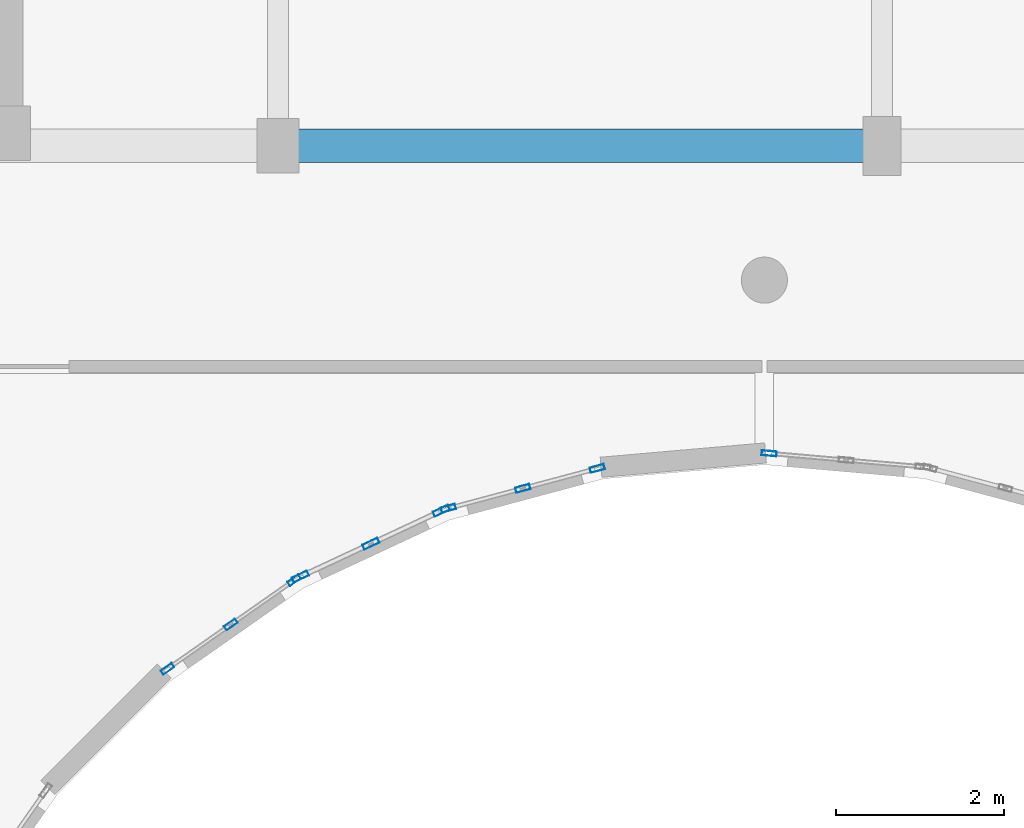
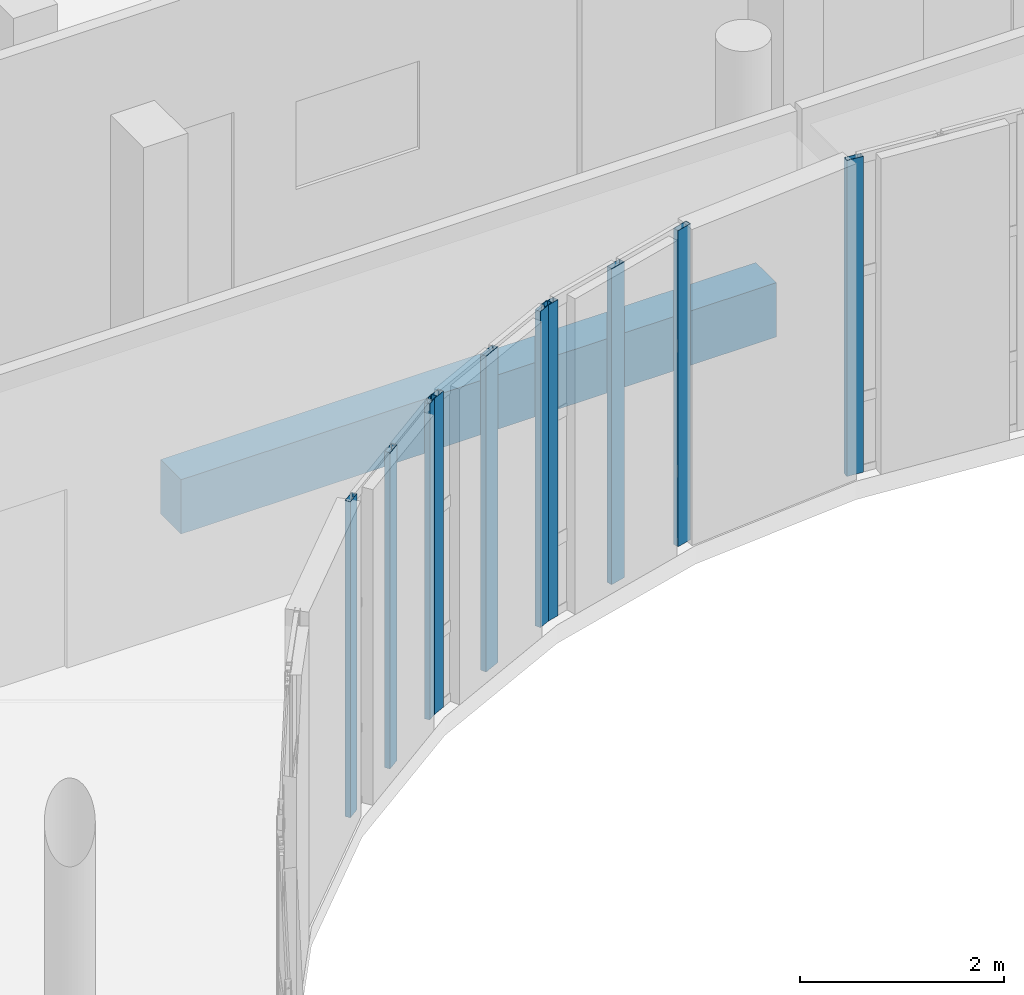
# One storey, part 42 of 105: 10 members, 1 beam, 4 elements without a shape of their own.
"""IFC4 building model written with IfcOpenShell, lengths in metres."""

from ifc_helpers import new_model, si_unit, direction, frame, origin, origin_2d, place, context, subcontext, project, spatial, rectangle, hollow_rectangle, extrude, material, layer, layer_set, material_profile, profile_set, type_object, element, aggregate, save


model = new_model("IFC4")

# Units and contexts
model_context = context("Model", 3, precision=1e-05, world=origin(), true_north=direction((0.0, 1.0)))
body_context = subcontext(model_context, "Body", "Model", "MODEL_VIEW")
ifc_project = project(units=[si_unit("LENGTHUNIT", "METRE"), si_unit("AREAUNIT", "SQUARE_METRE"), si_unit("VOLUMEUNIT", "CUBIC_METRE"), si_unit("PLANEANGLEUNIT", "RADIAN"), si_unit("MASSUNIT", "GRAM", prefix="KILO")], contexts=[model_context])

# Site, building, storey
site_placement = place(None, origin())
site = spatial("IfcSite", under=ifc_project, at=site_placement, CompositionType="ELEMENT")
building_placement = place(site_placement, origin())
building = spatial("IfcBuilding", under=site, at=building_placement, Name="Kelanivale Promenade Academy", CompositionType="ELEMENT")
storey_placement = place(building_placement, frame((0.0, 0.0, 4.199951171875)))
storey = spatial("IfcBuildingStorey", under=building, at=storey_placement, Name="L01", CompositionType="ELEMENT", Elevation=4.199951171875)

# Beam
ifc_material_1 = material(Name="Concrete C35/45", Category="concrete")
ifc_material_profile_1 = material_profile(ifc_material_1, rectangle(XDim=0.39990234375, YDim=0.64990234375, at=origin_2d()), Name="RC-BM 400x650")
ifc_profile_set_1 = profile_set([ifc_material_profile_1], Name="Concrete C35/45")
beam_type = type_object("IfcBeamType", Name="BM-01 RC-BM 400x650", PredefinedType="BEAM", material=ifc_profile_set_1)
beam_placement = place(storey_placement, frame((57.844970703125, 71.60009765625, -0.544921875), z_axis=(1.0, 0.0, 0.0), x_axis=(0.0, 1.0, 0.0)))
element("IfcBeam", 1, at=beam_placement, inside=storey, type_object=beam_type, Name="L01 girder BM-01", PredefinedType="BEAM", context=body_context, shape_type="SweptSolid", body=[
    extrude(rectangle(XDim=0.39990234375, YDim=0.64990234375, at=origin_2d()), origin(), (0.0, 0.0, 1.0), 6.735107421875),
])

# Curtain wall, members
ifc_material_2 = material(Name="Bronze anodised aluminium and solar-control low-E glass", Category="aluminium")
ifc_layer_1 = layer(ifc_material_2, 0.169921875)
ifc_layer_set_1 = layer_set([ifc_layer_1], Name="Bronze anodised aluminium and solar-control low-E glass")
curtain_wall_type_1 = type_object("IfcCurtainWallType", Name="CW-13 Curtain Wall 1350mm Module", PredefinedType="USERDEFINED", material=ifc_layer_set_1)
curtain_wall_1_placement = place(storey_placement, origin())
curtain_wall_1 = element("IfcCurtainWall", 2, at=curtain_wall_1_placement, inside=storey, type_object=curtain_wall_type_1, Name="L01 courtyard curtain wall CW-13", ObjectType="COURTYARD SCREEN GLAZING", PredefinedType="USERDEFINED")
ifc_material_3 = material(Name="Bronze anodised aluminium EN AW-6063 T6", Category="aluminium")
ifc_material_profile_2 = material_profile(ifc_material_3, hollow_rectangle(XDim=0.06005859375, YDim=0.159912109375, WallThickness=0.00390625, at=origin_2d()), Name="ALU 60x160x4.0")
ifc_profile_set_2 = profile_set([ifc_material_profile_2], Name="Bronze anodised aluminium EN AW-6063 T6")
member_type_1 = type_object("IfcMemberType", Name="CWM-01 ALU 60x160x4.0", PredefinedType="MULLION", material=ifc_profile_set_2)
member_1_placement = place(storey_placement, frame((57.79541015625, 66.423828125, 0.0), z_axis=(0.0, 0.0, 1.0), x_axis=(0.573356527561, -0.819305982099, 0.0)))
member_1 = element("IfcMember", 3, at=member_1_placement, type_object=member_type_1, Name="CW-13 mullion 1", PredefinedType="MULLION", context=body_context, shape_type="SweptSolid", body=[
    extrude(hollow_rectangle(XDim=0.06005859375, YDim=0.159912109375, WallThickness=0.00390625, at=origin_2d()), origin(), (0.0, 0.0, 1.0), 3.780029296875),
])
member_2_placement = place(storey_placement, frame((57.04052734375, 65.8955078125, 0.0), z_axis=(0.0, 0.0, 1.0), x_axis=(0.573356527561, -0.819305982099, 0.0)))
member_2 = element("IfcMember", 4, at=member_2_placement, type_object=member_type_1, Name="CW-13 mullion 2", PredefinedType="MULLION", context=body_context, shape_type="SweptSolid", body=[
    extrude(hollow_rectangle(XDim=0.06005859375, YDim=0.159912109375, WallThickness=0.00390625, at=origin_2d()), origin(), (0.0, 0.0, 1.0), 3.780029296875),
])
member_3_placement = place(storey_placement, frame((56.28564453125, 65.3671875, 0.0), z_axis=(0.0, 0.0, 1.0), x_axis=(0.573356527561, -0.819305982099, 0.0)))
member_3 = element("IfcMember", 5, at=member_3_placement, type_object=member_type_1, Name="CW-13 mullion 3", PredefinedType="MULLION", context=body_context, shape_type="SweptSolid", body=[
    extrude(hollow_rectangle(XDim=0.06005859375, YDim=0.159912109375, WallThickness=0.00390625, at=origin_2d()), origin(), (0.0, 0.0, 1.0), 3.780029296875),
])
aggregate(curtain_wall_1, [member_1, member_2, member_3])

# Curtain wall, member
ifc_layer_2 = layer(ifc_material_2, 0.169921875)
ifc_layer_set_2 = layer_set([ifc_layer_2], Name="Bronze anodised aluminium and solar-control low-E glass")
curtain_wall_type_2 = type_object("IfcCurtainWallType", Name="CW-10 Curtain Wall 1800mm Module", PredefinedType="USERDEFINED", material=ifc_layer_set_2)
curtain_wall_2_placement = place(storey_placement, origin())
curtain_wall_2 = element("IfcCurtainWall", 6, at=curtain_wall_2_placement, inside=storey, type_object=curtain_wall_type_2, Name="L01 courtyard curtain wall CW-10", ObjectType="UNITISED GLAZING", PredefinedType="USERDEFINED")
ifc_material_profile_3 = material_profile(ifc_material_3, hollow_rectangle(XDim=0.06005859375, YDim=0.179931640625, WallThickness=0.00390625, at=origin_2d()), Name="ALU 60x180x4.0")
ifc_profile_set_3 = profile_set([ifc_material_profile_3], Name="Bronze anodised aluminium EN AW-6063 T6")
member_type_2 = type_object("IfcMemberType", Name="CWM-02 ALU 60x180x4.0", PredefinedType="MULLION", material=ifc_profile_set_3)
member_4_placement = place(storey_placement, frame((63.456787109375, 67.935302734375, 0.0), z_axis=(0.0, 0.0, 1.0), x_axis=(-0.087264768066, -0.996185153601, 0.0)))
member_4 = element("IfcMember", 7, at=member_4_placement, type_object=member_type_2, Name="CW-10 mullion 3", PredefinedType="MULLION", context=body_context, shape_type="SweptSolid", body=[
    extrude(hollow_rectangle(XDim=0.06005859375, YDim=0.179931640625, WallThickness=0.00390625, at=origin_2d()), origin(), (0.0, 0.0, 1.0), 3.780029296875),
])
aggregate(curtain_wall_2, [member_4])

# Curtain wall, members
ifc_layer_3 = layer(ifc_material_2, 0.179931640625)
ifc_layer_set_3 = layer_set([ifc_layer_3], Name="Bronze anodised aluminium and solar-control low-E glass")
curtain_wall_type_3 = type_object("IfcCurtainWallType", Name="CW-11 Curtain Wall 1950mm Module", PredefinedType="USERDEFINED", material=ifc_layer_set_3)
curtain_wall_3_placement = place(storey_placement, origin())
curtain_wall_3 = element("IfcCurtainWall", 8, at=curtain_wall_3_placement, inside=storey, type_object=curtain_wall_type_3, Name="L01 courtyard curtain wall CW-11", ObjectType="UNITISED GLAZING", PredefinedType="USERDEFINED")
ifc_material_profile_4 = material_profile(ifc_material_3, hollow_rectangle(XDim=0.06494140625, YDim=0.175048828125, WallThickness=0.00390625, at=origin_2d()), Name="ALU 65x175x4.0")
ifc_profile_set_4 = profile_set([ifc_material_profile_4], Name="Bronze anodised aluminium EN AW-6063 T6")
member_type_3 = type_object("IfcMemberType", Name="CWM-03 ALU 65x175x4.0", PredefinedType="MULLION", material=ifc_profile_set_4)
member_5_placement = place(storey_placement, frame((61.40869140625, 67.755615234375, 0.0), z_axis=(0.0, 0.0, 1.0), x_axis=(0.258578458902, -0.965990259056, 0.0)))
member_5 = element("IfcMember", 9, at=member_5_placement, type_object=member_type_3, Name="CW-11 mullion 1", PredefinedType="MULLION", context=body_context, shape_type="SweptSolid", body=[
    extrude(hollow_rectangle(XDim=0.06494140625, YDim=0.175048828125, WallThickness=0.00390625, at=origin_2d()), origin(), (0.0, 0.0, 1.0), 3.780029296875),
])
member_6_placement = place(storey_placement, frame((60.52099609375, 67.51806640625, 0.0), z_axis=(0.0, 0.0, 1.0), x_axis=(0.258578458902, -0.965990259056, 0.0)))
member_6 = element("IfcMember", 10, at=member_6_placement, type_object=member_type_3, Name="CW-11 mullion 2", PredefinedType="MULLION", context=body_context, shape_type="SweptSolid", body=[
    extrude(hollow_rectangle(XDim=0.06494140625, YDim=0.175048828125, WallThickness=0.00390625, at=origin_2d()), origin(), (0.0, 0.0, 1.0), 3.780029296875),
])
member_7_placement = place(storey_placement, frame((59.63330078125, 67.280517578125, 0.0), z_axis=(0.0, 0.0, 1.0), x_axis=(0.258578458902, -0.965990259056, 0.0)))
member_7 = element("IfcMember", 11, at=member_7_placement, type_object=member_type_3, Name="CW-11 mullion 3", PredefinedType="MULLION", context=body_context, shape_type="SweptSolid", body=[
    extrude(hollow_rectangle(XDim=0.06494140625, YDim=0.175048828125, WallThickness=0.00390625, at=origin_2d()), origin(), (0.0, 0.0, 1.0), 3.780029296875),
])
aggregate(curtain_wall_3, [member_5, member_6, member_7])

ifc_layer_4 = layer(ifc_material_2, 0.159912109375)
ifc_layer_set_4 = layer_set([ifc_layer_4], Name="Bronze anodised aluminium and solar-control low-E glass")
curtain_wall_type_4 = type_object("IfcCurtainWallType", Name="CW-12 Curtain Wall 1200mm Module", PredefinedType="USERDEFINED", material=ifc_layer_set_4)
curtain_wall_4_placement = place(storey_placement, origin())
curtain_wall_4 = element("IfcCurtainWall", 12, at=curtain_wall_4_placement, inside=storey, type_object=curtain_wall_type_4, Name="L01 courtyard curtain wall CW-12", ObjectType="UNITISED GLAZING", PredefinedType="USERDEFINED")
ifc_material_profile_5 = material_profile(ifc_material_3, hollow_rectangle(XDim=0.06494140625, YDim=0.199951171875, WallThickness=0.00439453125, at=origin_2d()), Name="ALU 65x200x4.5")
ifc_profile_set_5 = profile_set([ifc_material_profile_5], Name="Bronze anodised aluminium EN AW-6063 T6")
member_type_4 = type_object("IfcMemberType", Name="CWM-04 ALU 65x200x4.5", PredefinedType="MULLION", material=ifc_profile_set_5)
member_8_placement = place(storey_placement, frame((59.549560546875, 67.250244140625, 0.0), z_axis=(0.0, 0.0, 1.0), x_axis=(0.422856921222, -0.906196460032, 0.0)))
member_8 = element("IfcMember", 13, at=member_8_placement, type_object=member_type_4, Name="CW-12 mullion 1", PredefinedType="MULLION", context=body_context, shape_type="SweptSolid", body=[
    extrude(hollow_rectangle(XDim=0.06494140625, YDim=0.199951171875, WallThickness=0.00439453125, at=origin_2d()), origin(), (0.0, 0.0, 1.0), 3.780029296875),
])
member_9_placement = place(storey_placement, frame((58.7099609375, 66.8583984375, 0.0), z_axis=(0.0, 0.0, 1.0), x_axis=(0.422856921222, -0.906196460032, 0.0)))
member_9 = element("IfcMember", 14, at=member_9_placement, type_object=member_type_4, Name="CW-12 mullion 2", PredefinedType="MULLION", context=body_context, shape_type="SweptSolid", body=[
    extrude(hollow_rectangle(XDim=0.06494140625, YDim=0.199951171875, WallThickness=0.00439453125, at=origin_2d()), origin(), (0.0, 0.0, 1.0), 3.780029296875),
])
member_10_placement = place(storey_placement, frame((57.870361328125, 66.466796875, 0.0), z_axis=(0.0, 0.0, 1.0), x_axis=(0.422856921222, -0.906196460032, 0.0)))
member_10 = element("IfcMember", 15, at=member_10_placement, type_object=member_type_4, Name="CW-12 mullion 3", PredefinedType="MULLION", context=body_context, shape_type="SweptSolid", body=[
    extrude(hollow_rectangle(XDim=0.06494140625, YDim=0.199951171875, WallThickness=0.00439453125, at=origin_2d()), origin(), (0.0, 0.0, 1.0), 3.780029296875),
])
aggregate(curtain_wall_4, [member_8, member_9, member_10])

save(model, "model.ifc")
